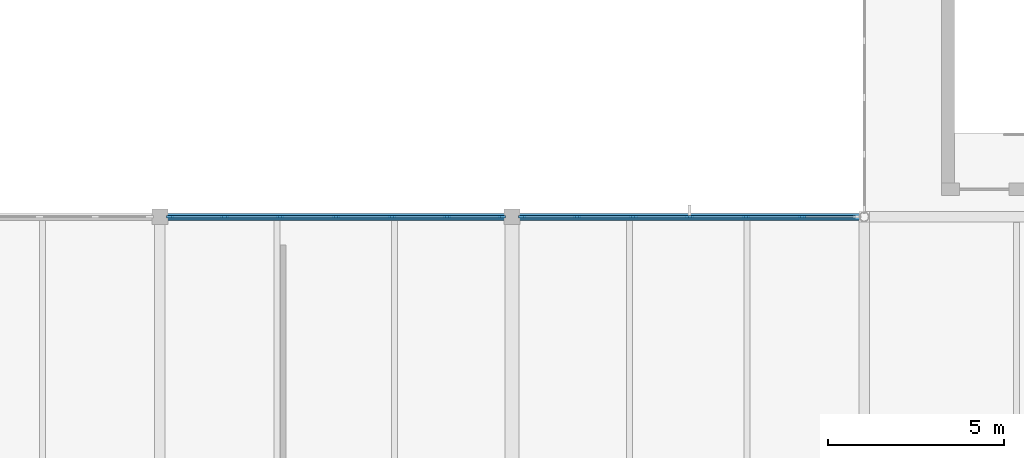
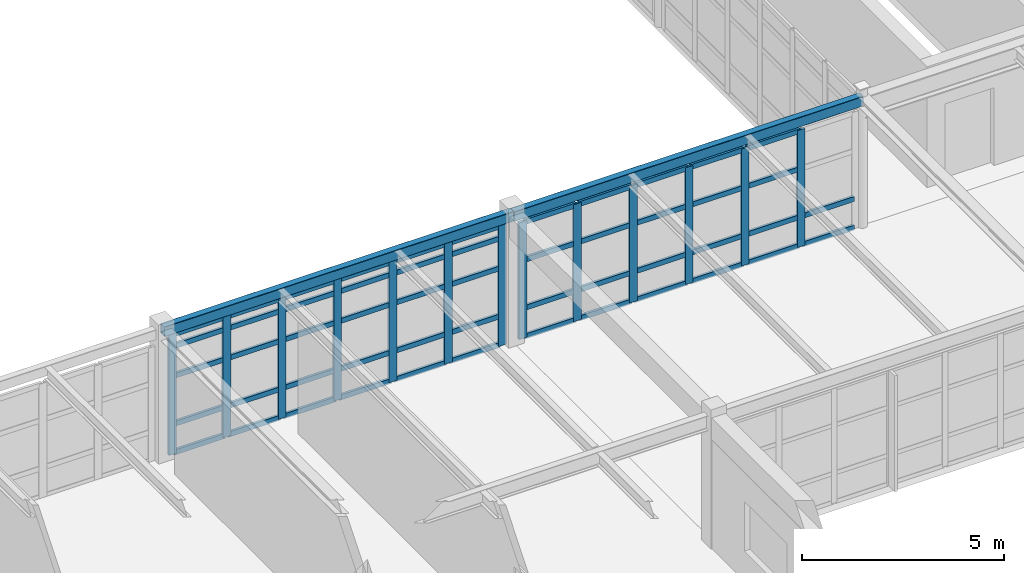
# One storey, part 50 of 122: 65 members, 2 beams, 2 elements without a shape of their own.
"""IFC4 building model written with IfcOpenShell, lengths in metres."""

from ifc_helpers import new_model, si_unit, direction, frame, origin, origin_2d, place, context, subcontext, project, spatial, rectangle, hollow_rectangle, extrude, material, layer, layer_set, material_profile, profile_set, type_object, element, aggregate, save


model = new_model("IFC4")

# Units and contexts
model_context = context("Model", 3, precision=1e-05, world=origin(), true_north=direction((0.0, 1.0)))
body_context = subcontext(model_context, "Body", "Model", "MODEL_VIEW")
ifc_project = project(units=[si_unit("LENGTHUNIT", "METRE"), si_unit("AREAUNIT", "SQUARE_METRE"), si_unit("VOLUMEUNIT", "CUBIC_METRE"), si_unit("PLANEANGLEUNIT", "RADIAN"), si_unit("MASSUNIT", "GRAM", prefix="KILO"), si_unit("THERMODYNAMICTEMPERATUREUNIT", "KELVIN"), si_unit("POWERUNIT", "WATT")], contexts=[model_context])

# Site, building, storey
site_placement = place(None, origin())
site = spatial("IfcSite", under=ifc_project, at=site_placement, CompositionType="ELEMENT")
building_placement = place(site_placement, origin())
building = spatial("IfcBuilding", under=site, at=building_placement, Name="Korenveer Ferry Terminal", CompositionType="ELEMENT")
storey_placement = place(building_placement, frame((0.0, 0.0, 10.199951171875)))
storey = spatial("IfcBuildingStorey", under=building, at=storey_placement, Name="L02", CompositionType="ELEMENT", Elevation=10.199951171875)

# Curtain wall, members
ifc_material_1 = material(Name="Unitised bronze-and-glass curtain wall", Category="glass")
ifc_layer_1 = layer(ifc_material_1, 0.219970703125)
ifc_layer_set_1 = layer_set([ifc_layer_1], Name="Unitised bronze-and-glass curtain wall")
curtain_wall_type_1 = type_object("IfcCurtainWallType", Name="ENV-CW-96", PredefinedType="USERDEFINED", material=ifc_layer_set_1)
curtain_wall_1_placement = place(storey_placement, frame((20.2548828125, 80.0, 0.0)))
curtain_wall_1 = element("IfcCurtainWall", 1, at=curtain_wall_1_placement, inside=storey, type_object=curtain_wall_type_1, Name="Lancet curtain wall CWX-L02-X20-30-Y80-80", ObjectType="UNITISED CURTAIN WALL", PredefinedType="USERDEFINED")
ifc_material_2 = material(Name="Anodised bronze aluminium", Category="aluminium")
ifc_material_profile_1 = material_profile(ifc_material_2, rectangle(XDim=0.074951171875, YDim=0.219970703125, at=origin_2d()), Name="ALU 75x220")
ifc_profile_set_1 = profile_set([ifc_material_profile_1], Name="Anodised bronze aluminium")
member_type_1 = type_object("IfcMemberType", Name="ENV-CWM-75X220", PredefinedType="MULLION", material=ifc_profile_set_1)
member_1_placement = place(storey_placement, frame((20.29248046875, 80.0, 0.0), z_axis=(0.0, 0.0, 1.0), x_axis=(0.0, 1.0, 0.0)))
member_1 = element("IfcMember", 2, at=member_1_placement, type_object=member_type_1, Name="CW-96 mullion 1", PredefinedType="MULLION", context=body_context, shape_type="SweptSolid", body=[
    extrude(rectangle(XDim=0.074951171875, YDim=0.219970703125, at=origin_2d()), origin(), (0.0, 0.0, 1.0), 3.650146484375),
])
member_2_placement = place(storey_placement, frame((21.836669921875, 80.0, 0.0), z_axis=(0.0, 0.0, 1.0), x_axis=(0.0, 1.0, 0.0)))
member_2 = element("IfcMember", 3, at=member_2_placement, type_object=member_type_1, Name="CW-96 mullion 2", PredefinedType="MULLION", context=body_context, shape_type="SweptSolid", body=[
    extrude(rectangle(XDim=0.074951171875, YDim=0.219970703125, at=origin_2d()), origin(), (0.0, 0.0, 1.0), 3.650146484375),
])
member_3_placement = place(storey_placement, frame((23.418212890625, 80.0, 0.0), z_axis=(0.0, 0.0, 1.0), x_axis=(0.0, 1.0, 0.0)))
member_3 = element("IfcMember", 4, at=member_3_placement, type_object=member_type_1, Name="CW-96 mullion 3", PredefinedType="MULLION", context=body_context, shape_type="SweptSolid", body=[
    extrude(rectangle(XDim=0.074951171875, YDim=0.219970703125, at=origin_2d()), origin(), (0.0, 0.0, 1.0), 3.650146484375),
])
member_4_placement = place(storey_placement, frame((25.0, 80.0, 0.0), z_axis=(0.0, 0.0, 1.0), x_axis=(0.0, 1.0, 0.0)))
member_4 = element("IfcMember", 5, at=member_4_placement, type_object=member_type_1, Name="CW-96 mullion 4", PredefinedType="MULLION", context=body_context, shape_type="SweptSolid", body=[
    extrude(rectangle(XDim=0.074951171875, YDim=0.219970703125, at=origin_2d()), origin(), (0.0, 0.0, 1.0), 3.650146484375),
])
member_5_placement = place(storey_placement, frame((26.581787109375, 80.0, 0.0), z_axis=(0.0, 0.0, 1.0), x_axis=(0.0, 1.0, 0.0)))
member_5 = element("IfcMember", 6, at=member_5_placement, type_object=member_type_1, Name="CW-96 mullion 5", PredefinedType="MULLION", context=body_context, shape_type="SweptSolid", body=[
    extrude(rectangle(XDim=0.074951171875, YDim=0.219970703125, at=origin_2d()), origin(), (0.0, 0.0, 1.0), 3.650146484375),
])
member_6_placement = place(storey_placement, frame((28.163330078125, 80.0, 0.0), z_axis=(0.0, 0.0, 1.0), x_axis=(0.0, 1.0, 0.0)))
member_6 = element("IfcMember", 7, at=member_6_placement, type_object=member_type_1, Name="CW-96 mullion 6", PredefinedType="MULLION", context=body_context, shape_type="SweptSolid", body=[
    extrude(rectangle(XDim=0.074951171875, YDim=0.219970703125, at=origin_2d()), origin(), (0.0, 0.0, 1.0), 3.650146484375),
])
member_7_placement = place(storey_placement, frame((29.70751953125, 80.0, 0.0), z_axis=(0.0, 0.0, 1.0), x_axis=(0.0, 1.0, 0.0)))
member_7 = element("IfcMember", 8, at=member_7_placement, type_object=member_type_1, Name="CW-96 mullion 7", PredefinedType="MULLION", context=body_context, shape_type="SweptSolid", body=[
    extrude(rectangle(XDim=0.074951171875, YDim=0.219970703125, at=origin_2d()), origin(), (0.0, 0.0, 1.0), 3.650146484375),
])

ifc_layer_2 = layer(ifc_material_1, 0.219970703125)
ifc_layer_set_2 = layer_set([ifc_layer_2], Name="Unitised bronze-and-glass curtain wall")
curtain_wall_type_2 = type_object("IfcCurtainWallType", Name="ENV-CW-97", PredefinedType="USERDEFINED", material=ifc_layer_set_2)
curtain_wall_2_placement = place(storey_placement, frame((30.2548828125, 80.0, 0.0)))
curtain_wall_2 = element("IfcCurtainWall", 9, at=curtain_wall_2_placement, inside=storey, type_object=curtain_wall_type_2, Name="Lancet curtain wall CWX-L02-X30-40-Y80-80", ObjectType="UNITISED CURTAIN WALL", PredefinedType="USERDEFINED")
member_8_placement = place(storey_placement, frame((30.29248046875, 80.0, 0.0), z_axis=(0.0, 0.0, 1.0), x_axis=(0.0, 1.0, 0.0)))
member_8 = element("IfcMember", 10, at=member_8_placement, type_object=member_type_1, Name="CW-97 mullion 1", PredefinedType="MULLION", context=body_context, shape_type="SweptSolid", body=[
    extrude(rectangle(XDim=0.074951171875, YDim=0.219970703125, at=origin_2d()), origin(), (0.0, 0.0, 1.0), 3.530029296875),
])
member_9_placement = place(storey_placement, frame((31.851318359375, 80.0, 0.0), z_axis=(0.0, 0.0, 1.0), x_axis=(0.0, 1.0, 0.0)))
member_9 = element("IfcMember", 11, at=member_9_placement, type_object=member_type_1, Name="CW-97 mullion 2", PredefinedType="MULLION", context=body_context, shape_type="SweptSolid", body=[
    extrude(rectangle(XDim=0.074951171875, YDim=0.219970703125, at=origin_2d()), origin(), (0.0, 0.0, 1.0), 3.530029296875),
])
member_10_placement = place(storey_placement, frame((33.44775390625, 80.0, 0.0), z_axis=(0.0, 0.0, 1.0), x_axis=(0.0, 1.0, 0.0)))
member_10 = element("IfcMember", 12, at=member_10_placement, type_object=member_type_1, Name="CW-97 mullion 3", PredefinedType="MULLION", context=body_context, shape_type="SweptSolid", body=[
    extrude(rectangle(XDim=0.074951171875, YDim=0.219970703125, at=origin_2d()), origin(), (0.0, 0.0, 1.0), 3.530029296875),
])
member_11_placement = place(storey_placement, frame((35.044189453125, 80.0, 0.0), z_axis=(0.0, 0.0, 1.0), x_axis=(0.0, 1.0, 0.0)))
member_11 = element("IfcMember", 13, at=member_11_placement, type_object=member_type_1, Name="CW-97 mullion 4", PredefinedType="MULLION", context=body_context, shape_type="SweptSolid", body=[
    extrude(rectangle(XDim=0.074951171875, YDim=0.219970703125, at=origin_2d()), origin(), (0.0, 0.0, 1.0), 3.530029296875),
])
member_12_placement = place(storey_placement, frame((36.640625, 80.0, 0.0), z_axis=(0.0, 0.0, 1.0), x_axis=(0.0, 1.0, 0.0)))
member_12 = element("IfcMember", 14, at=member_12_placement, type_object=member_type_1, Name="CW-97 mullion 5", PredefinedType="MULLION", context=body_context, shape_type="SweptSolid", body=[
    extrude(rectangle(XDim=0.074951171875, YDim=0.219970703125, at=origin_2d()), origin(), (0.0, 0.0, 1.0), 3.530029296875),
])
member_13_placement = place(storey_placement, frame((38.237060546875, 80.0, 0.0), z_axis=(0.0, 0.0, 1.0), x_axis=(0.0, 1.0, 0.0)))
member_13 = element("IfcMember", 15, at=member_13_placement, type_object=member_type_1, Name="CW-97 mullion 6", PredefinedType="MULLION", context=body_context, shape_type="SweptSolid", body=[
    extrude(rectangle(XDim=0.074951171875, YDim=0.219970703125, at=origin_2d()), origin(), (0.0, 0.0, 1.0), 3.530029296875),
])

# Member
ifc_material_profile_2 = material_profile(ifc_material_2, rectangle(XDim=0.074951171875, YDim=0.14990234375, at=origin_2d()), Name="ALU 75x150")
ifc_profile_set_2 = profile_set([ifc_material_profile_2], Name="Anodised bronze aluminium")
member_type_2 = type_object("IfcMemberType", Name="ENV-CWT-75X150", PredefinedType="USERDEFINED", material=ifc_profile_set_2)
member_14_placement = place(storey_placement, frame((20.330078125, 80.0, 0.03759765625), z_axis=(1.0, 0.0, 0.0), x_axis=(0.0, 1.0, 0.0)))
member_14 = element("IfcMember", 16, at=member_14_placement, type_object=member_type_2, Name="CW-96 transom 1.1", ObjectType="TRANSOM", PredefinedType="USERDEFINED", context=body_context, shape_type="SweptSolid", body=[
    extrude(rectangle(XDim=0.074951171875, YDim=0.14990234375, at=origin_2d()), origin(), (0.0, 0.0, 1.0), 1.468994140625),
])

member_15_placement = place(storey_placement, frame((20.330078125, 80.0, 0.900146484375), z_axis=(1.0, 0.0, 0.0), x_axis=(0.0, 1.0, 0.0)))
member_15 = element("IfcMember", 17, at=member_15_placement, type_object=member_type_2, Name="CW-96 transom 1.2", ObjectType="TRANSOM", PredefinedType="USERDEFINED", context=body_context, shape_type="SweptSolid", body=[
    extrude(rectangle(XDim=0.074951171875, YDim=0.14990234375, at=origin_2d()), origin(), (0.0, 0.0, 1.0), 1.468994140625),
])

member_16_placement = place(storey_placement, frame((20.330078125, 80.0, 2.35009765625), z_axis=(1.0, 0.0, 0.0), x_axis=(0.0, 1.0, 0.0)))
member_16 = element("IfcMember", 18, at=member_16_placement, type_object=member_type_2, Name="CW-96 transom 1.3", ObjectType="TRANSOM", PredefinedType="USERDEFINED", context=body_context, shape_type="SweptSolid", body=[
    extrude(rectangle(XDim=0.074951171875, YDim=0.14990234375, at=origin_2d()), origin(), (0.0, 0.0, 1.0), 1.468994140625),
])

member_17_placement = place(storey_placement, frame((20.330078125, 80.0, 3.25), z_axis=(1.0, 0.0, 0.0), x_axis=(0.0, 1.0, 0.0)))
member_17 = element("IfcMember", 19, at=member_17_placement, type_object=member_type_2, Name="CW-96 transom 1.4", ObjectType="TRANSOM", PredefinedType="USERDEFINED", context=body_context, shape_type="SweptSolid", body=[
    extrude(rectangle(XDim=0.074951171875, YDim=0.14990234375, at=origin_2d()), origin(), (0.0, 0.0, 1.0), 1.468994140625),
])

member_18_placement = place(storey_placement, frame((20.330078125, 80.0, 3.612548828125), z_axis=(1.0, 0.0, 0.0), x_axis=(0.0, 1.0, 0.0)))
member_18 = element("IfcMember", 20, at=member_18_placement, type_object=member_type_2, Name="CW-96 transom 1.5", ObjectType="TRANSOM", PredefinedType="USERDEFINED", context=body_context, shape_type="SweptSolid", body=[
    extrude(rectangle(XDim=0.074951171875, YDim=0.14990234375, at=origin_2d()), origin(), (0.0, 0.0, 1.0), 1.468994140625),
])

member_19_placement = place(storey_placement, frame((21.874267578125, 80.0, 0.03759765625), z_axis=(1.0, 0.0, 0.0), x_axis=(0.0, 1.0, 0.0)))
member_19 = element("IfcMember", 21, at=member_19_placement, type_object=member_type_2, Name="CW-96 transom 2.1", ObjectType="TRANSOM", PredefinedType="USERDEFINED", context=body_context, shape_type="SweptSolid", body=[
    extrude(rectangle(XDim=0.074951171875, YDim=0.14990234375, at=origin_2d()), origin(), (0.0, 0.0, 1.0), 1.506591796875),
])

member_20_placement = place(storey_placement, frame((21.874267578125, 80.0, 0.900146484375), z_axis=(1.0, 0.0, 0.0), x_axis=(0.0, 1.0, 0.0)))
member_20 = element("IfcMember", 22, at=member_20_placement, type_object=member_type_2, Name="CW-96 transom 2.2", ObjectType="TRANSOM", PredefinedType="USERDEFINED", context=body_context, shape_type="SweptSolid", body=[
    extrude(rectangle(XDim=0.074951171875, YDim=0.14990234375, at=origin_2d()), origin(), (0.0, 0.0, 1.0), 1.506591796875),
])

member_21_placement = place(storey_placement, frame((21.874267578125, 80.0, 2.35009765625), z_axis=(1.0, 0.0, 0.0), x_axis=(0.0, 1.0, 0.0)))
member_21 = element("IfcMember", 23, at=member_21_placement, type_object=member_type_2, Name="CW-96 transom 2.3", ObjectType="TRANSOM", PredefinedType="USERDEFINED", context=body_context, shape_type="SweptSolid", body=[
    extrude(rectangle(XDim=0.074951171875, YDim=0.14990234375, at=origin_2d()), origin(), (0.0, 0.0, 1.0), 1.506591796875),
])

member_22_placement = place(storey_placement, frame((21.874267578125, 80.0, 3.25), z_axis=(1.0, 0.0, 0.0), x_axis=(0.0, 1.0, 0.0)))
member_22 = element("IfcMember", 24, at=member_22_placement, type_object=member_type_2, Name="CW-96 transom 2.4", ObjectType="TRANSOM", PredefinedType="USERDEFINED", context=body_context, shape_type="SweptSolid", body=[
    extrude(rectangle(XDim=0.074951171875, YDim=0.14990234375, at=origin_2d()), origin(), (0.0, 0.0, 1.0), 1.506591796875),
])

member_23_placement = place(storey_placement, frame((21.874267578125, 80.0, 3.612548828125), z_axis=(1.0, 0.0, 0.0), x_axis=(0.0, 1.0, 0.0)))
member_23 = element("IfcMember", 25, at=member_23_placement, type_object=member_type_2, Name="CW-96 transom 2.5", ObjectType="TRANSOM", PredefinedType="USERDEFINED", context=body_context, shape_type="SweptSolid", body=[
    extrude(rectangle(XDim=0.074951171875, YDim=0.14990234375, at=origin_2d()), origin(), (0.0, 0.0, 1.0), 1.506591796875),
])

member_24_placement = place(storey_placement, frame((23.455810546875, 80.0, 0.03759765625), z_axis=(1.0, 0.0, 0.0), x_axis=(0.0, 1.0, 0.0)))
member_24 = element("IfcMember", 26, at=member_24_placement, type_object=member_type_2, Name="CW-96 transom 3.1", ObjectType="TRANSOM", PredefinedType="USERDEFINED", context=body_context, shape_type="SweptSolid", body=[
    extrude(rectangle(XDim=0.074951171875, YDim=0.14990234375, at=origin_2d()), origin(), (0.0, 0.0, 1.0), 1.506591796875),
])

member_25_placement = place(storey_placement, frame((23.455810546875, 80.0, 0.900146484375), z_axis=(1.0, 0.0, 0.0), x_axis=(0.0, 1.0, 0.0)))
member_25 = element("IfcMember", 27, at=member_25_placement, type_object=member_type_2, Name="CW-96 transom 3.2", ObjectType="TRANSOM", PredefinedType="USERDEFINED", context=body_context, shape_type="SweptSolid", body=[
    extrude(rectangle(XDim=0.074951171875, YDim=0.14990234375, at=origin_2d()), origin(), (0.0, 0.0, 1.0), 1.506591796875),
])

member_26_placement = place(storey_placement, frame((23.455810546875, 80.0, 2.35009765625), z_axis=(1.0, 0.0, 0.0), x_axis=(0.0, 1.0, 0.0)))
member_26 = element("IfcMember", 28, at=member_26_placement, type_object=member_type_2, Name="CW-96 transom 3.3", ObjectType="TRANSOM", PredefinedType="USERDEFINED", context=body_context, shape_type="SweptSolid", body=[
    extrude(rectangle(XDim=0.074951171875, YDim=0.14990234375, at=origin_2d()), origin(), (0.0, 0.0, 1.0), 1.506591796875),
])

member_27_placement = place(storey_placement, frame((23.455810546875, 80.0, 3.25), z_axis=(1.0, 0.0, 0.0), x_axis=(0.0, 1.0, 0.0)))
member_27 = element("IfcMember", 29, at=member_27_placement, type_object=member_type_2, Name="CW-96 transom 3.4", ObjectType="TRANSOM", PredefinedType="USERDEFINED", context=body_context, shape_type="SweptSolid", body=[
    extrude(rectangle(XDim=0.074951171875, YDim=0.14990234375, at=origin_2d()), origin(), (0.0, 0.0, 1.0), 1.506591796875),
])

member_28_placement = place(storey_placement, frame((23.455810546875, 80.0, 3.612548828125), z_axis=(1.0, 0.0, 0.0), x_axis=(0.0, 1.0, 0.0)))
member_28 = element("IfcMember", 30, at=member_28_placement, type_object=member_type_2, Name="CW-96 transom 3.5", ObjectType="TRANSOM", PredefinedType="USERDEFINED", context=body_context, shape_type="SweptSolid", body=[
    extrude(rectangle(XDim=0.074951171875, YDim=0.14990234375, at=origin_2d()), origin(), (0.0, 0.0, 1.0), 1.506591796875),
])

member_29_placement = place(storey_placement, frame((25.03759765625, 80.0, 0.03759765625), z_axis=(1.0, 0.0, 0.0), x_axis=(0.0, 1.0, 0.0)))
member_29 = element("IfcMember", 31, at=member_29_placement, type_object=member_type_2, Name="CW-96 transom 4.1", ObjectType="TRANSOM", PredefinedType="USERDEFINED", context=body_context, shape_type="SweptSolid", body=[
    extrude(rectangle(XDim=0.074951171875, YDim=0.14990234375, at=origin_2d()), origin(), (0.0, 0.0, 1.0), 1.506591796875),
])

member_30_placement = place(storey_placement, frame((25.03759765625, 80.0, 0.900146484375), z_axis=(1.0, 0.0, 0.0), x_axis=(0.0, 1.0, 0.0)))
member_30 = element("IfcMember", 32, at=member_30_placement, type_object=member_type_2, Name="CW-96 transom 4.2", ObjectType="TRANSOM", PredefinedType="USERDEFINED", context=body_context, shape_type="SweptSolid", body=[
    extrude(rectangle(XDim=0.074951171875, YDim=0.14990234375, at=origin_2d()), origin(), (0.0, 0.0, 1.0), 1.506591796875),
])

member_31_placement = place(storey_placement, frame((25.03759765625, 80.0, 2.35009765625), z_axis=(1.0, 0.0, 0.0), x_axis=(0.0, 1.0, 0.0)))
member_31 = element("IfcMember", 33, at=member_31_placement, type_object=member_type_2, Name="CW-96 transom 4.3", ObjectType="TRANSOM", PredefinedType="USERDEFINED", context=body_context, shape_type="SweptSolid", body=[
    extrude(rectangle(XDim=0.074951171875, YDim=0.14990234375, at=origin_2d()), origin(), (0.0, 0.0, 1.0), 1.506591796875),
])

member_32_placement = place(storey_placement, frame((25.03759765625, 80.0, 3.25), z_axis=(1.0, 0.0, 0.0), x_axis=(0.0, 1.0, 0.0)))
member_32 = element("IfcMember", 34, at=member_32_placement, type_object=member_type_2, Name="CW-96 transom 4.4", ObjectType="TRANSOM", PredefinedType="USERDEFINED", context=body_context, shape_type="SweptSolid", body=[
    extrude(rectangle(XDim=0.074951171875, YDim=0.14990234375, at=origin_2d()), origin(), (0.0, 0.0, 1.0), 1.506591796875),
])

member_33_placement = place(storey_placement, frame((25.03759765625, 80.0, 3.612548828125), z_axis=(1.0, 0.0, 0.0), x_axis=(0.0, 1.0, 0.0)))
member_33 = element("IfcMember", 35, at=member_33_placement, type_object=member_type_2, Name="CW-96 transom 4.5", ObjectType="TRANSOM", PredefinedType="USERDEFINED", context=body_context, shape_type="SweptSolid", body=[
    extrude(rectangle(XDim=0.074951171875, YDim=0.14990234375, at=origin_2d()), origin(), (0.0, 0.0, 1.0), 1.506591796875),
])

member_34_placement = place(storey_placement, frame((26.619140625, 80.0, 0.03759765625), z_axis=(1.0, 0.0, 0.0), x_axis=(0.0, 1.0, 0.0)))
member_34 = element("IfcMember", 36, at=member_34_placement, type_object=member_type_2, Name="CW-96 transom 5.1", ObjectType="TRANSOM", PredefinedType="USERDEFINED", context=body_context, shape_type="SweptSolid", body=[
    extrude(rectangle(XDim=0.074951171875, YDim=0.14990234375, at=origin_2d()), origin(), (0.0, 0.0, 1.0), 1.506591796875),
])

member_35_placement = place(storey_placement, frame((26.619140625, 80.0, 0.900146484375), z_axis=(1.0, 0.0, 0.0), x_axis=(0.0, 1.0, 0.0)))
member_35 = element("IfcMember", 37, at=member_35_placement, type_object=member_type_2, Name="CW-96 transom 5.2", ObjectType="TRANSOM", PredefinedType="USERDEFINED", context=body_context, shape_type="SweptSolid", body=[
    extrude(rectangle(XDim=0.074951171875, YDim=0.14990234375, at=origin_2d()), origin(), (0.0, 0.0, 1.0), 1.506591796875),
])

member_36_placement = place(storey_placement, frame((26.619140625, 80.0, 2.35009765625), z_axis=(1.0, 0.0, 0.0), x_axis=(0.0, 1.0, 0.0)))
member_36 = element("IfcMember", 38, at=member_36_placement, type_object=member_type_2, Name="CW-96 transom 5.3", ObjectType="TRANSOM", PredefinedType="USERDEFINED", context=body_context, shape_type="SweptSolid", body=[
    extrude(rectangle(XDim=0.074951171875, YDim=0.14990234375, at=origin_2d()), origin(), (0.0, 0.0, 1.0), 1.506591796875),
])

member_37_placement = place(storey_placement, frame((26.619140625, 80.0, 3.25), z_axis=(1.0, 0.0, 0.0), x_axis=(0.0, 1.0, 0.0)))
member_37 = element("IfcMember", 39, at=member_37_placement, type_object=member_type_2, Name="CW-96 transom 5.4", ObjectType="TRANSOM", PredefinedType="USERDEFINED", context=body_context, shape_type="SweptSolid", body=[
    extrude(rectangle(XDim=0.074951171875, YDim=0.14990234375, at=origin_2d()), origin(), (0.0, 0.0, 1.0), 1.506591796875),
])

member_38_placement = place(storey_placement, frame((26.619140625, 80.0, 3.612548828125), z_axis=(1.0, 0.0, 0.0), x_axis=(0.0, 1.0, 0.0)))
member_38 = element("IfcMember", 40, at=member_38_placement, type_object=member_type_2, Name="CW-96 transom 5.5", ObjectType="TRANSOM", PredefinedType="USERDEFINED", context=body_context, shape_type="SweptSolid", body=[
    extrude(rectangle(XDim=0.074951171875, YDim=0.14990234375, at=origin_2d()), origin(), (0.0, 0.0, 1.0), 1.506591796875),
])

member_39_placement = place(storey_placement, frame((28.200927734375, 80.0, 0.03759765625), z_axis=(1.0, 0.0, 0.0), x_axis=(0.0, 1.0, 0.0)))
member_39 = element("IfcMember", 41, at=member_39_placement, type_object=member_type_2, Name="CW-96 transom 6.1", ObjectType="TRANSOM", PredefinedType="USERDEFINED", context=body_context, shape_type="SweptSolid", body=[
    extrude(rectangle(XDim=0.074951171875, YDim=0.14990234375, at=origin_2d()), origin(), (0.0, 0.0, 1.0), 1.468994140625),
])

member_40_placement = place(storey_placement, frame((28.200927734375, 80.0, 0.900146484375), z_axis=(1.0, 0.0, 0.0), x_axis=(0.0, 1.0, 0.0)))
member_40 = element("IfcMember", 42, at=member_40_placement, type_object=member_type_2, Name="CW-96 transom 6.2", ObjectType="TRANSOM", PredefinedType="USERDEFINED", context=body_context, shape_type="SweptSolid", body=[
    extrude(rectangle(XDim=0.074951171875, YDim=0.14990234375, at=origin_2d()), origin(), (0.0, 0.0, 1.0), 1.468994140625),
])

member_41_placement = place(storey_placement, frame((28.200927734375, 80.0, 2.35009765625), z_axis=(1.0, 0.0, 0.0), x_axis=(0.0, 1.0, 0.0)))
member_41 = element("IfcMember", 43, at=member_41_placement, type_object=member_type_2, Name="CW-96 transom 6.3", ObjectType="TRANSOM", PredefinedType="USERDEFINED", context=body_context, shape_type="SweptSolid", body=[
    extrude(rectangle(XDim=0.074951171875, YDim=0.14990234375, at=origin_2d()), origin(), (0.0, 0.0, 1.0), 1.468994140625),
])

member_42_placement = place(storey_placement, frame((28.200927734375, 80.0, 3.25), z_axis=(1.0, 0.0, 0.0), x_axis=(0.0, 1.0, 0.0)))
member_42 = element("IfcMember", 44, at=member_42_placement, type_object=member_type_2, Name="CW-96 transom 6.4", ObjectType="TRANSOM", PredefinedType="USERDEFINED", context=body_context, shape_type="SweptSolid", body=[
    extrude(rectangle(XDim=0.074951171875, YDim=0.14990234375, at=origin_2d()), origin(), (0.0, 0.0, 1.0), 1.468994140625),
])

member_43_placement = place(storey_placement, frame((28.200927734375, 80.0, 3.612548828125), z_axis=(1.0, 0.0, 0.0), x_axis=(0.0, 1.0, 0.0)))
member_43 = element("IfcMember", 45, at=member_43_placement, type_object=member_type_2, Name="CW-96 transom 6.5", ObjectType="TRANSOM", PredefinedType="USERDEFINED", context=body_context, shape_type="SweptSolid", body=[
    extrude(rectangle(XDim=0.074951171875, YDim=0.14990234375, at=origin_2d()), origin(), (0.0, 0.0, 1.0), 1.468994140625),
])

aggregate(curtain_wall_1, [member_1, member_2, member_3, member_4, member_5, member_6, member_7, member_14, member_15, member_16, member_17, member_18, member_19, member_20, member_21, member_22, member_23, member_24, member_25, member_26, member_27, member_28, member_29, member_30, member_31, member_32, member_33, member_34, member_35, member_36, member_37, member_38, member_39, member_40, member_41, member_42, member_43])

member_44_placement = place(storey_placement, frame((30.330078125, 80.0, 0.03759765625), z_axis=(1.0, 0.0, 0.0), x_axis=(0.0, 1.0, 0.0)))
member_44 = element("IfcMember", 46, at=member_44_placement, type_object=member_type_2, Name="CW-97 transom 1.1", ObjectType="TRANSOM", PredefinedType="USERDEFINED", context=body_context, shape_type="SweptSolid", body=[
    extrude(rectangle(XDim=0.074951171875, YDim=0.14990234375, at=origin_2d()), origin(), (0.0, 0.0, 1.0), 1.48388671875),
])

member_45_placement = place(storey_placement, frame((30.330078125, 80.0, 0.900146484375), z_axis=(1.0, 0.0, 0.0), x_axis=(0.0, 1.0, 0.0)))
member_45 = element("IfcMember", 47, at=member_45_placement, type_object=member_type_2, Name="CW-97 transom 1.2", ObjectType="TRANSOM", PredefinedType="USERDEFINED", context=body_context, shape_type="SweptSolid", body=[
    extrude(rectangle(XDim=0.074951171875, YDim=0.14990234375, at=origin_2d()), origin(), (0.0, 0.0, 1.0), 1.48388671875),
])

member_46_placement = place(storey_placement, frame((30.330078125, 80.0, 2.35009765625), z_axis=(1.0, 0.0, 0.0), x_axis=(0.0, 1.0, 0.0)))
member_46 = element("IfcMember", 48, at=member_46_placement, type_object=member_type_2, Name="CW-97 transom 1.3", ObjectType="TRANSOM", PredefinedType="USERDEFINED", context=body_context, shape_type="SweptSolid", body=[
    extrude(rectangle(XDim=0.074951171875, YDim=0.14990234375, at=origin_2d()), origin(), (0.0, 0.0, 1.0), 1.48388671875),
])

member_47_placement = place(storey_placement, frame((30.330078125, 80.0, 3.492431640625), z_axis=(1.0, 0.0, 0.0), x_axis=(0.0, 1.0, 0.0)))
member_47 = element("IfcMember", 49, at=member_47_placement, type_object=member_type_2, Name="CW-97 transom 1.4", ObjectType="TRANSOM", PredefinedType="USERDEFINED", context=body_context, shape_type="SweptSolid", body=[
    extrude(rectangle(XDim=0.074951171875, YDim=0.14990234375, at=origin_2d()), origin(), (0.0, 0.0, 1.0), 1.48388671875),
])

member_48_placement = place(storey_placement, frame((31.888916015625, 80.0, 0.03759765625), z_axis=(1.0, 0.0, 0.0), x_axis=(0.0, 1.0, 0.0)))
member_48 = element("IfcMember", 50, at=member_48_placement, type_object=member_type_2, Name="CW-97 transom 2.1", ObjectType="TRANSOM", PredefinedType="USERDEFINED", context=body_context, shape_type="SweptSolid", body=[
    extrude(rectangle(XDim=0.074951171875, YDim=0.14990234375, at=origin_2d()), origin(), (0.0, 0.0, 1.0), 1.521484375),
])

member_49_placement = place(storey_placement, frame((31.888916015625, 80.0, 0.900146484375), z_axis=(1.0, 0.0, 0.0), x_axis=(0.0, 1.0, 0.0)))
member_49 = element("IfcMember", 51, at=member_49_placement, type_object=member_type_2, Name="CW-97 transom 2.2", ObjectType="TRANSOM", PredefinedType="USERDEFINED", context=body_context, shape_type="SweptSolid", body=[
    extrude(rectangle(XDim=0.074951171875, YDim=0.14990234375, at=origin_2d()), origin(), (0.0, 0.0, 1.0), 1.521484375),
])

member_50_placement = place(storey_placement, frame((31.888916015625, 80.0, 2.35009765625), z_axis=(1.0, 0.0, 0.0), x_axis=(0.0, 1.0, 0.0)))
member_50 = element("IfcMember", 52, at=member_50_placement, type_object=member_type_2, Name="CW-97 transom 2.3", ObjectType="TRANSOM", PredefinedType="USERDEFINED", context=body_context, shape_type="SweptSolid", body=[
    extrude(rectangle(XDim=0.074951171875, YDim=0.14990234375, at=origin_2d()), origin(), (0.0, 0.0, 1.0), 1.521484375),
])

member_51_placement = place(storey_placement, frame((31.888916015625, 80.0, 3.492431640625), z_axis=(1.0, 0.0, 0.0), x_axis=(0.0, 1.0, 0.0)))
member_51 = element("IfcMember", 53, at=member_51_placement, type_object=member_type_2, Name="CW-97 transom 2.4", ObjectType="TRANSOM", PredefinedType="USERDEFINED", context=body_context, shape_type="SweptSolid", body=[
    extrude(rectangle(XDim=0.074951171875, YDim=0.14990234375, at=origin_2d()), origin(), (0.0, 0.0, 1.0), 1.521484375),
])

member_52_placement = place(storey_placement, frame((33.4853515625, 80.0, 0.03759765625), z_axis=(1.0, 0.0, 0.0), x_axis=(0.0, 1.0, 0.0)))
member_52 = element("IfcMember", 54, at=member_52_placement, type_object=member_type_2, Name="CW-97 transom 3.1", ObjectType="TRANSOM", PredefinedType="USERDEFINED", context=body_context, shape_type="SweptSolid", body=[
    extrude(rectangle(XDim=0.074951171875, YDim=0.14990234375, at=origin_2d()), origin(), (0.0, 0.0, 1.0), 1.521484375),
])

member_53_placement = place(storey_placement, frame((33.4853515625, 80.0, 0.900146484375), z_axis=(1.0, 0.0, 0.0), x_axis=(0.0, 1.0, 0.0)))
member_53 = element("IfcMember", 55, at=member_53_placement, type_object=member_type_2, Name="CW-97 transom 3.2", ObjectType="TRANSOM", PredefinedType="USERDEFINED", context=body_context, shape_type="SweptSolid", body=[
    extrude(rectangle(XDim=0.074951171875, YDim=0.14990234375, at=origin_2d()), origin(), (0.0, 0.0, 1.0), 1.521484375),
])

member_54_placement = place(storey_placement, frame((33.4853515625, 80.0, 2.35009765625), z_axis=(1.0, 0.0, 0.0), x_axis=(0.0, 1.0, 0.0)))
member_54 = element("IfcMember", 56, at=member_54_placement, type_object=member_type_2, Name="CW-97 transom 3.3", ObjectType="TRANSOM", PredefinedType="USERDEFINED", context=body_context, shape_type="SweptSolid", body=[
    extrude(rectangle(XDim=0.074951171875, YDim=0.14990234375, at=origin_2d()), origin(), (0.0, 0.0, 1.0), 1.521484375),
])

member_55_placement = place(storey_placement, frame((33.4853515625, 80.0, 3.492431640625), z_axis=(1.0, 0.0, 0.0), x_axis=(0.0, 1.0, 0.0)))
member_55 = element("IfcMember", 57, at=member_55_placement, type_object=member_type_2, Name="CW-97 transom 3.4", ObjectType="TRANSOM", PredefinedType="USERDEFINED", context=body_context, shape_type="SweptSolid", body=[
    extrude(rectangle(XDim=0.074951171875, YDim=0.14990234375, at=origin_2d()), origin(), (0.0, 0.0, 1.0), 1.521484375),
])

member_56_placement = place(storey_placement, frame((35.081787109375, 80.0, 0.03759765625), z_axis=(1.0, 0.0, 0.0), x_axis=(0.0, 1.0, 0.0)))
member_56 = element("IfcMember", 58, at=member_56_placement, type_object=member_type_2, Name="CW-97 transom 4.1", ObjectType="TRANSOM", PredefinedType="USERDEFINED", context=body_context, shape_type="SweptSolid", body=[
    extrude(rectangle(XDim=0.074951171875, YDim=0.14990234375, at=origin_2d()), origin(), (0.0, 0.0, 1.0), 1.521484375),
])

member_57_placement = place(storey_placement, frame((35.081787109375, 80.0, 0.900146484375), z_axis=(1.0, 0.0, 0.0), x_axis=(0.0, 1.0, 0.0)))
member_57 = element("IfcMember", 59, at=member_57_placement, type_object=member_type_2, Name="CW-97 transom 4.2", ObjectType="TRANSOM", PredefinedType="USERDEFINED", context=body_context, shape_type="SweptSolid", body=[
    extrude(rectangle(XDim=0.074951171875, YDim=0.14990234375, at=origin_2d()), origin(), (0.0, 0.0, 1.0), 1.521484375),
])

member_58_placement = place(storey_placement, frame((35.081787109375, 80.0, 2.35009765625), z_axis=(1.0, 0.0, 0.0), x_axis=(0.0, 1.0, 0.0)))
member_58 = element("IfcMember", 60, at=member_58_placement, type_object=member_type_2, Name="CW-97 transom 4.3", ObjectType="TRANSOM", PredefinedType="USERDEFINED", context=body_context, shape_type="SweptSolid", body=[
    extrude(rectangle(XDim=0.074951171875, YDim=0.14990234375, at=origin_2d()), origin(), (0.0, 0.0, 1.0), 1.521484375),
])

member_59_placement = place(storey_placement, frame((35.081787109375, 80.0, 3.492431640625), z_axis=(1.0, 0.0, 0.0), x_axis=(0.0, 1.0, 0.0)))
member_59 = element("IfcMember", 61, at=member_59_placement, type_object=member_type_2, Name="CW-97 transom 4.4", ObjectType="TRANSOM", PredefinedType="USERDEFINED", context=body_context, shape_type="SweptSolid", body=[
    extrude(rectangle(XDim=0.074951171875, YDim=0.14990234375, at=origin_2d()), origin(), (0.0, 0.0, 1.0), 1.521484375),
])

member_60_placement = place(storey_placement, frame((36.67822265625, 80.0, 0.03759765625), z_axis=(1.0, 0.0, 0.0), x_axis=(0.0, 1.0, 0.0)))
member_60 = element("IfcMember", 62, at=member_60_placement, type_object=member_type_2, Name="CW-97 transom 5.1", ObjectType="TRANSOM", PredefinedType="USERDEFINED", context=body_context, shape_type="SweptSolid", body=[
    extrude(rectangle(XDim=0.074951171875, YDim=0.14990234375, at=origin_2d()), origin(), (0.0, 0.0, 1.0), 1.521240234375),
])

member_61_placement = place(storey_placement, frame((36.67822265625, 80.0, 0.900146484375), z_axis=(1.0, 0.0, 0.0), x_axis=(0.0, 1.0, 0.0)))
member_61 = element("IfcMember", 63, at=member_61_placement, type_object=member_type_2, Name="CW-97 transom 5.2", ObjectType="TRANSOM", PredefinedType="USERDEFINED", context=body_context, shape_type="SweptSolid", body=[
    extrude(rectangle(XDim=0.074951171875, YDim=0.14990234375, at=origin_2d()), origin(), (0.0, 0.0, 1.0), 1.521240234375),
])

member_62_placement = place(storey_placement, frame((36.67822265625, 80.0, 2.35009765625), z_axis=(1.0, 0.0, 0.0), x_axis=(0.0, 1.0, 0.0)))
member_62 = element("IfcMember", 64, at=member_62_placement, type_object=member_type_2, Name="CW-97 transom 5.3", ObjectType="TRANSOM", PredefinedType="USERDEFINED", context=body_context, shape_type="SweptSolid", body=[
    extrude(rectangle(XDim=0.074951171875, YDim=0.14990234375, at=origin_2d()), origin(), (0.0, 0.0, 1.0), 1.521240234375),
])

member_63_placement = place(storey_placement, frame((36.67822265625, 80.0, 3.492431640625), z_axis=(1.0, 0.0, 0.0), x_axis=(0.0, 1.0, 0.0)))
member_63 = element("IfcMember", 65, at=member_63_placement, type_object=member_type_2, Name="CW-97 transom 5.4", ObjectType="TRANSOM", PredefinedType="USERDEFINED", context=body_context, shape_type="SweptSolid", body=[
    extrude(rectangle(XDim=0.074951171875, YDim=0.14990234375, at=origin_2d()), origin(), (0.0, 0.0, 1.0), 1.521240234375),
])

member_64_placement = place(storey_placement, frame((38.274658203125, 80.0, 0.03759765625), z_axis=(1.0, 0.0, 0.0), x_axis=(0.0, 1.0, 0.0)))
member_64 = element("IfcMember", 66, at=member_64_placement, type_object=member_type_2, Name="CW-97 transom 6.1", ObjectType="TRANSOM", PredefinedType="USERDEFINED", context=body_context, shape_type="SweptSolid", body=[
    extrude(rectangle(XDim=0.074951171875, YDim=0.14990234375, at=origin_2d()), origin(), (0.0, 0.0, 1.0), 1.48388671875),
])

member_65_placement = place(storey_placement, frame((38.274658203125, 80.0, 0.900146484375), z_axis=(1.0, 0.0, 0.0), x_axis=(0.0, 1.0, 0.0)))
member_65 = element("IfcMember", 67, at=member_65_placement, type_object=member_type_2, Name="CW-97 transom 6.2", ObjectType="TRANSOM", PredefinedType="USERDEFINED", context=body_context, shape_type="SweptSolid", body=[
    extrude(rectangle(XDim=0.074951171875, YDim=0.14990234375, at=origin_2d()), origin(), (0.0, 0.0, 1.0), 1.48388671875),
])

aggregate(curtain_wall_2, [member_8, member_9, member_10, member_11, member_12, member_13, member_44, member_45, member_46, member_47, member_48, member_49, member_50, member_51, member_52, member_53, member_54, member_55, member_56, member_57, member_58, member_59, member_60, member_61, member_62, member_63, member_64, member_65])

# Beams
ifc_material_3 = material(Name="Steel S355", Category="steel")
ifc_material_profile_3 = material_profile(ifc_material_3, hollow_rectangle(XDim=0.199951171875, YDim=0.300048828125, WallThickness=0.012451171875, InnerFilletRadius=0.012451171875, OuterFilletRadius=0.018798828125, at=origin_2d()), Name="RHS 300x200x12.5")
ifc_profile_set_3 = profile_set([ifc_material_profile_3], Name="Steel S355")
beam_type = type_object("IfcBeamType", Name="STR-SPD-RHS300", PredefinedType="SPANDREL", material=ifc_profile_set_3)
for number, where, z_axis, x_axis, name in (
    (68, (20.02001953125, 80.0, 3.830078125), (1.0, 0.0, 0.0), (0.0, 1.0, 0.0), "Primary X girder BMX-L03-X20-30-Y80"),
    (69, (30.02001953125, 80.0, 3.81005859375), (1.0, 0.0, 0.0), (0.0, 1.0, 0.0), "Primary X girder BMX-L03-X30-40-Y80"),
):
    element("IfcBeam", number, at=place(storey_placement, frame(where, z_axis=z_axis, x_axis=x_axis)), inside=storey, type_object=beam_type, Name=name, PredefinedType="SPANDREL", context=body_context, shape_type="SweptSolid", body=[
        extrude(hollow_rectangle(XDim=0.199951171875, YDim=0.300048828125, WallThickness=0.012451171875, InnerFilletRadius=0.012451171875, OuterFilletRadius=0.018798828125, at=origin_2d()), origin(), (0.0, 0.0, 1.0), 9.9599609375),
    ])

save(model, "model.ifc")
